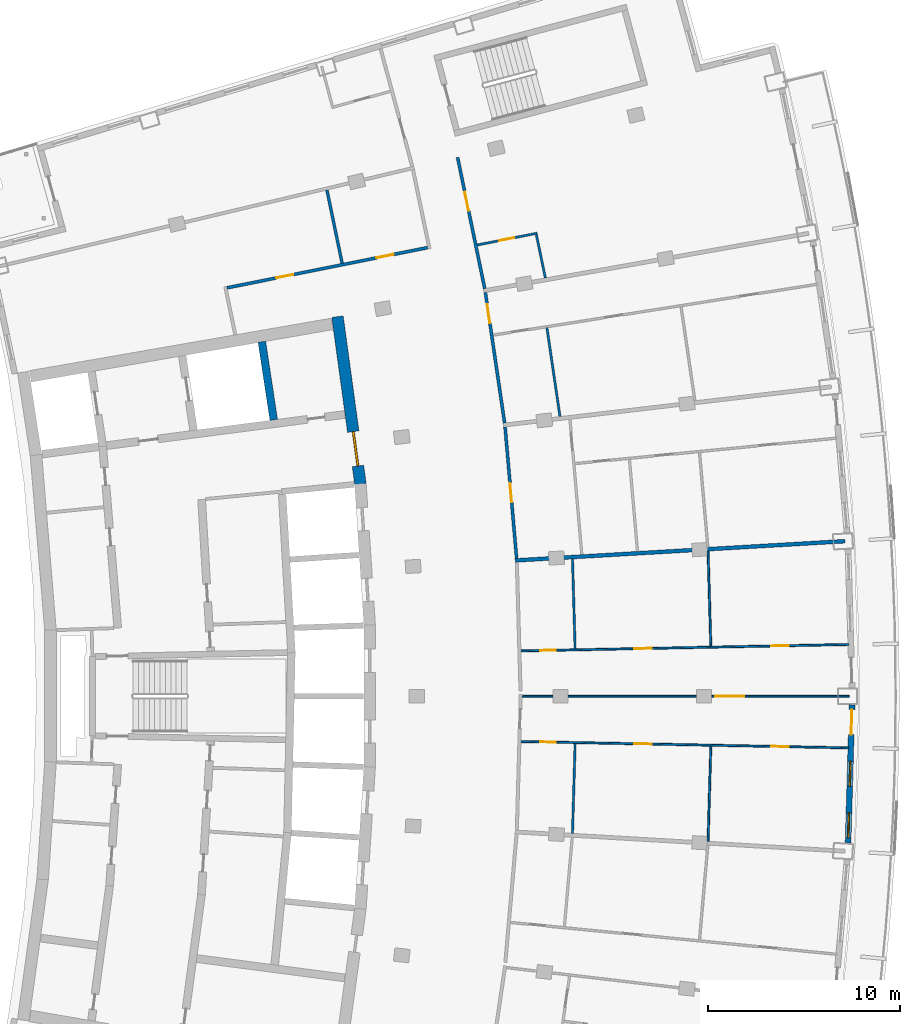
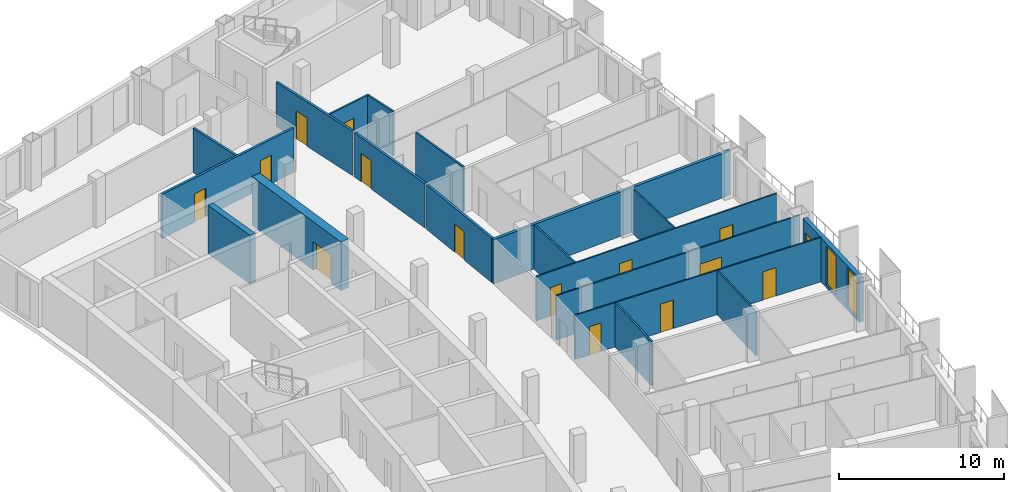
# One storey, part 13 of 19: 19 walls, 15 doors, 2 windows, 17 openings.
"""IFC4 building model written with IfcOpenShell, lengths in metres."""

from ifc_helpers import new_model, si_unit, direction, frame, frame_2d, origin, place, context, subcontext, project, spatial, rectangle, extrude, material, layer, layer_set, type_object, element, fill, save


model = new_model("IFC4")

# Units and contexts
model_context = context("Model", 3, precision=1e-05, world=origin(), true_north=direction((0.0, 1.0)))
body_context = subcontext(model_context, "Body", "Model", "MODEL_VIEW")
ifc_project = project(units=[si_unit("LENGTHUNIT", "METRE"), si_unit("AREAUNIT", "SQUARE_METRE"), si_unit("VOLUMEUNIT", "CUBIC_METRE"), si_unit("PLANEANGLEUNIT", "RADIAN"), si_unit("MASSUNIT", "GRAM", prefix="KILO")], contexts=[model_context])

# Site, building, storey
site_placement = place(None, origin())
site = spatial("IfcSite", under=ifc_project, at=site_placement, CompositionType="ELEMENT")
building_placement = place(site_placement, origin())
building = spatial("IfcBuilding", under=site, at=building_placement, Name="Alderwake Tower", CompositionType="ELEMENT")
storey_placement = place(building_placement, frame((0.0, 0.0, 203.60009765625)))
storey = spatial("IfcBuildingStorey", under=building, at=storey_placement, Name="L50", CompositionType="ELEMENT", Elevation=203.60009765625)

# Wall, opening, door
ifc_material_1 = material(Name="Concrete C70/85", Category="concrete")
ifc_layer_1 = layer(ifc_material_1, 0.60009765625)
ifc_layer_set_1 = layer_set([ifc_layer_1], Name="Core wall outer 600 C70-85")
wall_type_1 = type_object("IfcWallType", Name="Core wall outer 600 C70-85", PredefinedType="SHEAR", material=ifc_layer_set_1)
wall_1_placement = place(storey_placement, frame((31.66796875, 80.743896484375, 0.0), z_axis=(0.0, 0.0, 1.0), x_axis=(0.135856583698, -0.990728514108, 0.0)))
wall_1 = element("IfcWall", 1, at=wall_1_placement, inside=storey, type_object=wall_type_1, Name="Core wall CW.014", PredefinedType="SHEAR", context=body_context, shape_type="SweptSolid", body=[
    extrude(rectangle(XDim=8.79296875, YDim=0.60009765625, at=frame_2d((4.396484375, 0.0))), origin(), (0.0, 0.0, 1.0), 3.599853515625),
])
opening_1_placement = place(wall_1_placement, frame((6.038818359375, 0.0, 0.0)))
opening_1 = element("IfcOpeningElement", 2, at=opening_1_placement, cuts=wall_1, Name="Opening C001", PredefinedType="OPENING", context=body_context, shape_type="SweptSolid", body=[
    extrude(rectangle(XDim=1.800048828125, YDim=2.10009765625, at=frame_2d((0.89990234375, 1.050048828125))), frame((0.0, 0.31005859375, 0.0), z_axis=(0.0, -1.0, 0.0), x_axis=(1.0, 0.0, 0.0)), (0.0, 0.0, 1.0), 0.6201171875),
])
ifc_material_2 = material(Name="Steel-framed fire door leaves", Category="steel")
door_type_1 = type_object("IfcDoorType", Name="Core double door 1800 fire-rated", OperationType="DOUBLE_DOOR_SINGLE_SWING", PredefinedType="DOOR", material=ifc_material_2)
door_1_placement = place(opening_1_placement, origin())
door_1 = element("IfcDoor", 3, at=door_1_placement, inside=storey, type_object=door_type_1, Name="Lobby double door", OperationType="DOUBLE_DOOR_SINGLE_SWING", OverallHeight=2.10009765625, OverallWidth=1.800048828125, PredefinedType="DOOR", context=body_context, shape_type="SweptSolid", body=[
    extrude(rectangle(XDim=1.800048828125, YDim=2.10009765625, at=frame_2d((0.89990234375, 1.050048828125))), frame((0.0, 0.050048828125, 0.0), z_axis=(0.0, -1.0, 0.0), x_axis=(1.0, 0.0, 0.0)), (0.0, 0.0, 1.0), 0.10009765625),
])
fill(opening_1, door_1)

# Wall
ifc_material_3 = material(Name="Concrete C70/85", Category="concrete")
ifc_layer_2 = layer(ifc_material_3, 0.39990234375)
ifc_layer_set_2 = layer_set([ifc_layer_2], Name="Core wall spine 400 C70-85")
wall_type_2 = type_object("IfcWallType", Name="Core wall spine 400 C70-85", PredefinedType="SHEAR", material=ifc_layer_set_2)
wall_2_placement = place(storey_placement, frame((28.350830078125, 75.373291015625, 0.0), z_axis=(0.0, 0.0, 1.0), x_axis=(-0.150143035921, 0.988664285167, 0.0)))
element("IfcWall", 4, at=wall_2_placement, inside=storey, type_object=wall_type_2, Name="Core wall CW.001", PredefinedType="SHEAR", context=body_context, shape_type="SweptSolid", body=[
    extrude(rectangle(XDim=4.1123046875, YDim=0.39990234375, at=frame_2d((2.05615234375, 0.0))), origin(), (0.0, 0.0, 1.0), 3.599853515625),
])

# Wall, openings, doors
ifc_material_4 = material(Name="Gypsum board on metal studs, rated")
ifc_layer_3 = layer(ifc_material_4, 0.159912109375)
ifc_layer_set_3 = layer_set([ifc_layer_3], Name="Corridor wall 160")
wall_type_3 = type_object("IfcWallType", Name="Corridor wall 160", PredefinedType="PARTITIONING", material=ifc_layer_set_3)
wall_3_placement = place(storey_placement, frame((25.926513671875, 82.24267578125, 0.0), z_axis=(0.0, 0.0, 1.0), x_axis=(0.98046310274, 0.196703086316, 0.0)))
wall_3 = element("IfcWall", 5, at=wall_3_placement, inside=storey, type_object=wall_type_3, Name="WL/L50/W19", PredefinedType="PARTITIONING", context=body_context, shape_type="SweptSolid", body=[
    extrude(rectangle(XDim=10.637939453125, YDim=0.159912109375, at=frame_2d((5.31884765625, 0.0))), origin(), (0.0, 0.0, 1.0), 3.27978515625),
])
opening_2_placement = place(wall_3_placement, frame((2.609130859375, 0.0, 0.0)))
opening_2 = element("IfcOpeningElement", 6, at=opening_2_placement, cuts=wall_3, Name="Opening R14-SBN1", PredefinedType="OPENING", context=body_context, shape_type="SweptSolid", body=[
    extrude(rectangle(XDim=0.89990234375, YDim=2.10009765625, at=frame_2d((0.449951171875, 1.050048828125))), frame((0.0, 0.08984375, 0.0), z_axis=(0.0, -1.0, 0.0), x_axis=(1.0, 0.0, 0.0)), (0.0, 0.0, 1.0), 0.179931640625),
])
opening_3_placement = place(wall_3_placement, frame((7.927978515625, 0.0, 0.0)))
opening_3 = element("IfcOpeningElement", 7, at=opening_3_placement, cuts=wall_3, Name="Opening R14-SBN2", PredefinedType="OPENING", context=body_context, shape_type="SweptSolid", body=[
    extrude(rectangle(XDim=0.89990234375, YDim=2.10009765625, at=frame_2d((0.449951171875, 1.050048828125))), frame((0.0, 0.08984375, 0.0), z_axis=(0.0, -1.0, 0.0), x_axis=(1.0, 0.0, 0.0)), (0.0, 0.0, 1.0), 0.179931640625),
])
ifc_material_5 = material(Name="Painted timber leaf", Category="wood")
door_type_2 = type_object("IfcDoorType", Name="Room door 900", OperationType="SINGLE_SWING_LEFT", PredefinedType="DOOR", material=ifc_material_5)
door_2_placement = place(opening_2_placement, origin())
door_2 = element("IfcDoor", 8, at=door_2_placement, inside=storey, type_object=door_type_2, Name="DR/L50/SBN1", OperationType="SINGLE_SWING_LEFT", OverallHeight=2.10009765625, OverallWidth=0.89990234375, PredefinedType="DOOR", context=body_context, shape_type="SweptSolid", body=[
    extrude(rectangle(XDim=0.89990234375, YDim=2.10009765625, at=frame_2d((0.449951171875, 1.050048828125))), frame((0.0, 0.02490234375, 0.0), z_axis=(0.0, -1.0, 0.0), x_axis=(1.0, 0.0, 0.0)), (0.0, 0.0, 1.0), 0.050048828125),
])
fill(opening_2, door_2)
door_3_placement = place(opening_3_placement, origin())
door_3 = element("IfcDoor", 9, at=door_3_placement, inside=storey, type_object=door_type_2, Name="DR/L50/SBN2", OperationType="SINGLE_SWING_LEFT", OverallHeight=2.10009765625, OverallWidth=0.89990234375, PredefinedType="DOOR", context=body_context, shape_type="SweptSolid", body=[
    extrude(rectangle(XDim=0.89990234375, YDim=2.10009765625, at=frame_2d((0.449951171875, 1.050048828125))), frame((0.0, 0.02490234375, 0.0), z_axis=(0.0, -1.0, 0.0), x_axis=(1.0, 0.0, 0.0)), (0.0, 0.0, 1.0), 0.050048828125),
])
fill(opening_3, door_3)

# Wall, opening, door
wall_4_placement = place(storey_placement, frame((37.9169921875, 89.02490234375, 0.0), z_axis=(0.0, 0.0, 1.0), x_axis=(0.202416809878, -0.97929946139, 0.0)))
wall_4 = element("IfcWall", 10, at=wall_4_placement, inside=storey, type_object=wall_type_3, Name="WL/L50/W22", PredefinedType="PARTITIONING", context=body_context, shape_type="SweptSolid", body=[
    extrude(rectangle(XDim=6.97021484375, YDim=0.159912109375, at=frame_2d((3.485107421875, 0.0))), origin(), (0.0, 0.0, 1.0), 3.27978515625),
])
opening_4_placement = place(wall_4_placement, frame((1.83349609375, 0.0, 0.0)))
opening_4 = element("IfcOpeningElement", 11, at=opening_4_placement, cuts=wall_4, Name="Opening R14-U08.1", PredefinedType="OPENING", context=body_context, shape_type="SweptSolid", body=[
    extrude(rectangle(XDim=1.0, YDim=2.10009765625, at=frame_2d((0.5, 1.050048828125))), frame((0.0, 0.08984375, 0.0), z_axis=(0.0, -1.0, 0.0), x_axis=(1.0, 0.0, 0.0)), (0.0, 0.0, 1.0), 0.179931640625),
])
ifc_material_6 = material(Name="Solid timber leaf in steel frame", Category="steel")
door_type_3 = type_object("IfcDoorType", Name="Flat entrance door 1000 fire-rated", OperationType="SINGLE_SWING_LEFT", PredefinedType="DOOR", material=ifc_material_6)
door_4_placement = place(opening_4_placement, origin())
door_4 = element("IfcDoor", 12, at=door_4_placement, inside=storey, type_object=door_type_3, Name="DR/L50/U08.1", OperationType="SINGLE_SWING_LEFT", OverallHeight=2.10009765625, OverallWidth=1.0, PredefinedType="DOOR", context=body_context, shape_type="SweptSolid", body=[
    extrude(rectangle(XDim=1.0, YDim=2.10009765625, at=frame_2d((0.5, 1.050048828125))), frame((0.0, 0.02490234375, 0.0), z_axis=(0.0, -1.0, 0.0), x_axis=(1.0, 0.0, 0.0)), (0.0, 0.0, 1.0), 0.050048828125),
])
fill(opening_4, door_4)

wall_5_placement = place(storey_placement, frame((39.362548828125, 82.001953125, 0.0), z_axis=(0.0, 0.0, 1.0), x_axis=(0.145565626222, -0.98934859805, 0.0)))
wall_5 = element("IfcWall", 13, at=wall_5_placement, inside=storey, type_object=wall_type_3, Name="WL/L50/W23", PredefinedType="PARTITIONING", context=body_context, shape_type="SweptSolid", body=[
    extrude(rectangle(XDim=6.8681640625, YDim=0.159912109375, at=frame_2d((3.43408203125, 0.0))), origin(), (0.0, 0.0, 1.0), 3.27978515625),
])
opening_5_placement = place(wall_5_placement, frame((0.627685546875, 0.0, 0.0)))
opening_5 = element("IfcOpeningElement", 14, at=opening_5_placement, cuts=wall_5, Name="Opening R14-U07.2", PredefinedType="OPENING", context=body_context, shape_type="SweptSolid", body=[
    extrude(rectangle(XDim=1.0, YDim=2.10009765625, at=frame_2d((0.5, 1.050048828125))), frame((0.0, 0.08984375, 0.0), z_axis=(0.0, -1.0, 0.0), x_axis=(1.0, 0.0, 0.0)), (0.0, 0.0, 1.0), 0.179931640625),
])
door_5_placement = place(opening_5_placement, origin())
door_5 = element("IfcDoor", 15, at=door_5_placement, inside=storey, type_object=door_type_3, Name="DR/L50/U07.2", OperationType="SINGLE_SWING_LEFT", OverallHeight=2.10009765625, OverallWidth=1.0, PredefinedType="DOOR", context=body_context, shape_type="SweptSolid", body=[
    extrude(rectangle(XDim=1.0, YDim=2.10009765625, at=frame_2d((0.5, 1.050048828125))), frame((0.0, 0.02490234375, 0.0), z_axis=(0.0, -1.0, 0.0), x_axis=(1.0, 0.0, 0.0)), (0.0, 0.0, 1.0), 0.050048828125),
])
fill(opening_5, door_5)

wall_6_placement = place(storey_placement, frame((40.3857421875, 75.00830078125, 0.0), z_axis=(0.0, 0.0, 1.0), x_axis=(0.087448731147, -0.996169021512, 0.0)))
wall_6 = element("IfcWall", 16, at=wall_6_placement, inside=storey, type_object=wall_type_3, Name="WL/L50/W26", PredefinedType="PARTITIONING", context=body_context, shape_type="SweptSolid", body=[
    extrude(rectangle(XDim=6.867919921875, YDim=0.159912109375, at=frame_2d((3.43408203125, 0.0))), origin(), (0.0, 0.0, 1.0), 3.27978515625),
])
opening_6_placement = place(wall_6_placement, frame((2.93408203125, 0.0, 0.0)))
opening_6 = element("IfcOpeningElement", 17, at=opening_6_placement, cuts=wall_6, Name="Opening R14-U06.2", PredefinedType="OPENING", context=body_context, shape_type="SweptSolid", body=[
    extrude(rectangle(XDim=1.0, YDim=2.10009765625, at=frame_2d((0.5, 1.050048828125))), frame((0.0, 0.08984375, 0.0), z_axis=(0.0, -1.0, 0.0), x_axis=(1.0, 0.0, 0.0)), (0.0, 0.0, 1.0), 0.179931640625),
])
door_6_placement = place(opening_6_placement, origin())
door_6 = element("IfcDoor", 18, at=door_6_placement, inside=storey, type_object=door_type_3, Name="DR/L50/U06.2", OperationType="SINGLE_SWING_LEFT", OverallHeight=2.10009765625, OverallWidth=1.0, PredefinedType="DOOR", context=body_context, shape_type="SweptSolid", body=[
    extrude(rectangle(XDim=1.0, YDim=2.10009765625, at=frame_2d((0.5, 1.050048828125))), frame((0.0, 0.02490234375, 0.0), z_axis=(0.0, -1.0, 0.0), x_axis=(1.0, 0.0, 0.0)), (0.0, 0.0, 1.0), 0.050048828125),
])
fill(opening_6, door_6)

# Wall, openings, door, windows
ifc_material_7 = material(Name="Precast concrete C50/60 spandrel panel", Category="concrete")
ifc_layer_4 = layer(ifc_material_7, 0.300048828125)
ifc_layer_set_4 = layer_set([ifc_layer_4], Name="External wall EW1 Precast concrete C50/60 spandrel")
wall_type_4 = type_object("IfcWallType", Name="External wall EW1 Precast concrete C50/60 spandrel", PredefinedType="SOLIDWALL", material=ifc_layer_set_4)
wall_7_placement = place(storey_placement, frame((58.2275390625, 53.37548828125, 0.0), z_axis=(0.0, 0.0, 1.0), x_axis=(0.029173236612, 0.999574370553, 0.0)))
wall_7 = element("IfcWall", 19, at=wall_7_placement, inside=storey, type_object=wall_type_4, Name="External wall 15", PredefinedType="SOLIDWALL", context=body_context, shape_type="SweptSolid", body=[
    extrude(rectangle(XDim=7.180419921875, YDim=0.300048828125, at=frame_2d((3.59033203125, 0.0))), origin(), (0.0, 0.0, 1.0), 3.27978515625),
])
opening_7_placement = place(wall_7_placement, frame((0.25341796875, 0.0, 0.199951171875)))
opening_7 = element("IfcOpeningElement", 20, at=opening_7_placement, cuts=wall_7, Name="Opening W1", PredefinedType="OPENING", context=body_context, shape_type="SweptSolid", body=[
    extrude(rectangle(XDim=1.300048828125, YDim=2.89990234375, at=frame_2d((0.64990234375, 1.449951171875))), frame((0.0, 0.159912109375, 0.0), z_axis=(0.0, -1.0, 0.0), x_axis=(1.0, 0.0, 0.0)), (0.0, 0.0, 1.0), 0.320068359375),
])
opening_8_placement = place(wall_7_placement, frame((2.940185546875, 0.0, 0.199951171875)))
opening_8 = element("IfcOpeningElement", 21, at=opening_8_placement, cuts=wall_7, Name="Opening W1", PredefinedType="OPENING", context=body_context, shape_type="SweptSolid", body=[
    extrude(rectangle(XDim=1.300048828125, YDim=2.89990234375, at=frame_2d((0.64990234375, 1.449951171875))), frame((0.0, 0.159912109375, 0.0), z_axis=(0.0, -1.0, 0.0), x_axis=(1.0, 0.0, 0.0)), (0.0, 0.0, 1.0), 0.320068359375),
])
opening_9_placement = place(wall_7_placement, frame((5.626953125, 0.0, 0.0)))
opening_9 = element("IfcOpeningElement", 22, at=opening_9_placement, cuts=wall_7, Name="Opening D05", PredefinedType="OPENING", context=body_context, shape_type="SweptSolid", body=[
    extrude(rectangle(XDim=1.300048828125, YDim=2.39990234375, at=frame_2d((0.64990234375, 1.199951171875))), frame((0.0, 0.159912109375, 0.0), z_axis=(0.0, -1.0, 0.0), x_axis=(1.0, 0.0, 0.0)), (0.0, 0.0, 1.0), 0.320068359375),
])
ifc_material_8 = material(Name="Bronze tinted glass in aluminium frame", Category="aluminium")
door_type_4 = type_object("IfcDoorType", Name="Balcony door BD sliding", OperationType="SLIDING_TO_LEFT", PredefinedType="DOOR", material=ifc_material_8)
door_7_placement = place(opening_9_placement, origin())
door_7 = element("IfcDoor", 23, at=door_7_placement, inside=storey, type_object=door_type_4, Name="Door D05", OperationType="SLIDING_TO_LEFT", OverallHeight=2.39990234375, OverallWidth=1.300048828125, PredefinedType="DOOR", context=body_context, shape_type="SweptSolid", body=[
    extrude(rectangle(XDim=1.300048828125, YDim=2.39990234375, at=frame_2d((0.64990234375, 1.199951171875))), frame((0.0, 0.02490234375, 0.0), z_axis=(0.0, -1.0, 0.0), x_axis=(1.0, 0.0, 0.0)), (0.0, 0.0, 1.0), 0.050048828125),
])
fill(opening_9, door_7)
ifc_material_9 = material(Name="Bronze tinted glass in aluminium frame", Category="aluminium")
window_type = type_object("IfcWindowType", Name="Window W1 tall fixed and vent", PartitioningType="DOUBLE_PANEL_VERTICAL", PredefinedType="WINDOW", material=ifc_material_9)
window_1_placement = place(opening_7_placement, origin())
window_1 = element("IfcWindow", 24, at=window_1_placement, inside=storey, type_object=window_type, Name="Window W1 tall fixed and vent", OverallHeight=2.89990234375, OverallWidth=1.300048828125, PartitioningType="DOUBLE_PANEL_VERTICAL", PredefinedType="WINDOW", context=body_context, shape_type="SweptSolid", body=[
    extrude(rectangle(XDim=1.300048828125, YDim=2.89990234375, at=frame_2d((0.64990234375, 1.449951171875))), frame((0.0, 0.030029296875, 0.0), z_axis=(0.0, -1.0, 0.0), x_axis=(1.0, 0.0, 0.0)), (0.0, 0.0, 1.0), 0.06005859375),
])
fill(opening_7, window_1)
window_2_placement = place(opening_8_placement, origin())
window_2 = element("IfcWindow", 25, at=window_2_placement, inside=storey, type_object=window_type, Name="Window W1 tall fixed and vent", OverallHeight=2.89990234375, OverallWidth=1.300048828125, PartitioningType="DOUBLE_PANEL_VERTICAL", PredefinedType="WINDOW", context=body_context, shape_type="SweptSolid", body=[
    extrude(rectangle(XDim=1.300048828125, YDim=2.89990234375, at=frame_2d((0.64990234375, 1.449951171875))), frame((0.0, 0.030029296875, 0.0), z_axis=(0.0, -1.0, 0.0), x_axis=(1.0, 0.0, 0.0)), (0.0, 0.0, 1.0), 0.06005859375),
])
fill(opening_8, window_2)

# Walls
ifc_material_10 = material(Name="Dense block masonry wall", Category="masonry")
ifc_layer_5 = layer(ifc_material_10, 0.199951171875)
ifc_layer_set_5 = layer_set([ifc_layer_5], Name="Party wall 200")
wall_type_5 = type_object("IfcWallType", Name="Party wall 200", PredefinedType="SOLIDWALL", material=ifc_layer_set_5)
wall_8_placement = place(storey_placement, frame((58.06494140625, 69.06298828125, 0.0), z_axis=(0.0, 0.0, 1.0), x_axis=(-0.998301852926, -0.058252986578, 0.0)))
element("IfcWall", 26, at=wall_8_placement, inside=storey, type_object=wall_type_5, Name="WL/L50/W05", PredefinedType="SOLIDWALL", context=body_context, shape_type="SweptSolid", body=[
    extrude(rectangle(XDim=17.178955078125, YDim=0.199951171875, at=frame_2d((8.58935546875, 0.0))), origin(), (0.0, 0.0, 1.0), 3.27978515625),
])
ifc_material_11 = material(Name="Gypsum shaft wall system, rated")
ifc_layer_6 = layer(ifc_material_11, 0.14990234375)
ifc_layer_set_6 = layer_set([ifc_layer_6], Name="Riser and shaft wall 150")
wall_type_6 = type_object("IfcWallType", Name="Riser and shaft wall 150", PredefinedType="PARTITIONING", material=ifc_layer_set_6)
wall_9_placement = place(storey_placement, frame((31.90966796875, 83.523193359375, 0.0), z_axis=(0.0, 0.0, 1.0), x_axis=(-0.203193719272, 0.979138556308, 0.0)))
element("IfcWall", 27, at=wall_9_placement, inside=storey, type_object=wall_type_6, Name="WL/L50/W06", PredefinedType="PARTITIONING", context=body_context, shape_type="SweptSolid", body=[
    extrude(rectangle(XDim=3.884521484375, YDim=0.14990234375, at=frame_2d((1.9423828125, 0.0))), origin(), (0.0, 0.0, 1.0), 3.27978515625),
])

# Wall, openings, doors
ifc_material_12 = material(Name="Gypsum board on metal studs")
ifc_layer_7 = layer(ifc_material_12, 0.10009765625)
ifc_layer_set_7 = layer_set([ifc_layer_7], Name="Unit partition 100")
wall_type_7 = type_object("IfcWallType", Name="Unit partition 100", PredefinedType="PARTITIONING", material=ifc_layer_set_7)
wall_10_placement = place(storey_placement, frame((58.27197265625, 58.31103515625, 0.0), z_axis=(0.0, 0.0, 1.0), x_axis=(-0.999811536807, 0.019413677352, 0.0)))
wall_10 = element("IfcWall", 28, at=wall_10_placement, inside=storey, type_object=wall_type_7, Name="WL/L50/W47", PredefinedType="PARTITIONING", context=body_context, shape_type="SweptSolid", body=[
    extrude(rectangle(XDim=17.065185546875, YDim=0.10009765625, at=frame_2d((8.53271484375, 0.0))), origin(), (0.0, 0.0, 1.0), 3.27978515625),
])
opening_10_placement = place(wall_10_placement, frame((10.263671875, 0.0, 0.0)))
opening_10 = element("IfcOpeningElement", 29, at=opening_10_placement, cuts=wall_10, Name="Opening R14-U05.1", PredefinedType="OPENING", context=body_context, shape_type="SweptSolid", body=[
    extrude(rectangle(XDim=0.89990234375, YDim=2.10009765625, at=frame_2d((0.449951171875, 1.050048828125))), frame((0.0, 0.06005859375, 0.0), z_axis=(0.0, -1.0, 0.0), x_axis=(1.0, 0.0, 0.0)), (0.0, 0.0, 1.0), 0.1201171875),
])
opening_11_placement = place(wall_10_placement, frame((15.255126953125, 0.0, 0.0)))
opening_11 = element("IfcOpeningElement", 30, at=opening_11_placement, cuts=wall_10, Name="Opening R14-U05.3", PredefinedType="OPENING", context=body_context, shape_type="SweptSolid", body=[
    extrude(rectangle(XDim=0.800048828125, YDim=2.10009765625, at=frame_2d((0.39990234375, 1.050048828125))), frame((0.0, 0.06005859375, 0.0), z_axis=(0.0, -1.0, 0.0), x_axis=(1.0, 0.0, 0.0)), (0.0, 0.0, 1.0), 0.1201171875),
])
opening_12_placement = place(wall_10_placement, frame((3.141845703125, 0.0, 0.0)))
opening_12 = element("IfcOpeningElement", 31, at=opening_12_placement, cuts=wall_10, Name="Opening R14-U05.4", PredefinedType="OPENING", context=body_context, shape_type="SweptSolid", body=[
    extrude(rectangle(XDim=0.89990234375, YDim=2.10009765625, at=frame_2d((0.449951171875, 1.050048828125))), frame((0.0, 0.06005859375, 0.0), z_axis=(0.0, -1.0, 0.0), x_axis=(1.0, 0.0, 0.0)), (0.0, 0.0, 1.0), 0.1201171875),
])
ifc_material_13 = material(Name="Painted timber leaf", Category="wood")
door_type_5 = type_object("IfcDoorType", Name="Bathroom door 800", OperationType="SINGLE_SWING_LEFT", PredefinedType="DOOR", material=ifc_material_13)
door_8_placement = place(opening_11_placement, origin())
door_8 = element("IfcDoor", 32, at=door_8_placement, inside=storey, type_object=door_type_5, Name="DR/L50/U05.3", OperationType="SINGLE_SWING_LEFT", OverallHeight=2.10009765625, OverallWidth=0.800048828125, PredefinedType="DOOR", context=body_context, shape_type="SweptSolid", body=[
    extrude(rectangle(XDim=0.800048828125, YDim=2.10009765625, at=frame_2d((0.39990234375, 1.050048828125))), frame((0.0, 0.02490234375, 0.0), z_axis=(0.0, -1.0, 0.0), x_axis=(1.0, 0.0, 0.0)), (0.0, 0.0, 1.0), 0.050048828125),
])
fill(opening_11, door_8)
door_9_placement = place(opening_10_placement, origin())
door_9 = element("IfcDoor", 33, at=door_9_placement, inside=storey, type_object=door_type_2, Name="DR/L50/U05.1", OperationType="SINGLE_SWING_LEFT", OverallHeight=2.10009765625, OverallWidth=0.89990234375, PredefinedType="DOOR", context=body_context, shape_type="SweptSolid", body=[
    extrude(rectangle(XDim=0.89990234375, YDim=2.10009765625, at=frame_2d((0.449951171875, 1.050048828125))), frame((0.0, 0.02490234375, 0.0), z_axis=(0.0, -1.0, 0.0), x_axis=(1.0, 0.0, 0.0)), (0.0, 0.0, 1.0), 0.050048828125),
])
fill(opening_10, door_9)
door_10_placement = place(opening_12_placement, origin())
door_10 = element("IfcDoor", 34, at=door_10_placement, inside=storey, type_object=door_type_2, Name="DR/L50/U05.4", OperationType="SINGLE_SWING_LEFT", OverallHeight=2.10009765625, OverallWidth=0.89990234375, PredefinedType="DOOR", context=body_context, shape_type="SweptSolid", body=[
    extrude(rectangle(XDim=0.89990234375, YDim=2.10009765625, at=frame_2d((0.449951171875, 1.050048828125))), frame((0.0, 0.02490234375, 0.0), z_axis=(0.0, -1.0, 0.0), x_axis=(1.0, 0.0, 0.0)), (0.0, 0.0, 1.0), 0.050048828125),
])
fill(opening_12, door_10)

wall_11_placement = place(storey_placement, frame((41.2099609375, 63.355712890625, 0.0), z_axis=(0.0, 0.0, 1.0), x_axis=(0.999808189858, 0.019585287639, 0.0)))
wall_11 = element("IfcWall", 35, at=wall_11_placement, inside=storey, type_object=wall_type_7, Name="WL/L50/W48", PredefinedType="PARTITIONING", context=body_context, shape_type="SweptSolid", body=[
    extrude(rectangle(XDim=17.065185546875, YDim=0.10009765625, at=frame_2d((8.53271484375, 0.0))), origin(), (0.0, 0.0, 1.0), 3.27978515625),
])
opening_13_placement = place(wall_11_placement, frame((5.901611328125, 0.0, 0.0)))
opening_13 = element("IfcOpeningElement", 36, at=opening_13_placement, cuts=wall_11, Name="Opening R14-U05.5", PredefinedType="OPENING", context=body_context, shape_type="SweptSolid", body=[
    extrude(rectangle(XDim=0.89990234375, YDim=2.10009765625, at=frame_2d((0.449951171875, 1.050048828125))), frame((0.0, 0.06005859375, 0.0), z_axis=(0.0, -1.0, 0.0), x_axis=(1.0, 0.0, 0.0)), (0.0, 0.0, 1.0), 0.1201171875),
])
opening_14_placement = place(wall_11_placement, frame((1.010009765625, 0.0, 0.0)))
opening_14 = element("IfcOpeningElement", 37, at=opening_14_placement, cuts=wall_11, Name="Opening R14-U05.6", PredefinedType="OPENING", context=body_context, shape_type="SweptSolid", body=[
    extrude(rectangle(XDim=0.800048828125, YDim=2.10009765625, at=frame_2d((0.39990234375, 1.050048828125))), frame((0.0, 0.06005859375, 0.0), z_axis=(0.0, -1.0, 0.0), x_axis=(1.0, 0.0, 0.0)), (0.0, 0.0, 1.0), 0.1201171875),
])
opening_15_placement = place(wall_11_placement, frame((13.0234375, 0.0, 0.0)))
opening_15 = element("IfcOpeningElement", 38, at=opening_15_placement, cuts=wall_11, Name="Opening R14-U05.7", PredefinedType="OPENING", context=body_context, shape_type="SweptSolid", body=[
    extrude(rectangle(XDim=0.89990234375, YDim=2.10009765625, at=frame_2d((0.449951171875, 1.050048828125))), frame((0.0, 0.06005859375, 0.0), z_axis=(0.0, -1.0, 0.0), x_axis=(1.0, 0.0, 0.0)), (0.0, 0.0, 1.0), 0.1201171875),
])
door_11_placement = place(opening_14_placement, origin())
door_11 = element("IfcDoor", 39, at=door_11_placement, inside=storey, type_object=door_type_5, Name="DR/L50/U05.6", OperationType="SINGLE_SWING_LEFT", OverallHeight=2.10009765625, OverallWidth=0.800048828125, PredefinedType="DOOR", context=body_context, shape_type="SweptSolid", body=[
    extrude(rectangle(XDim=0.800048828125, YDim=2.10009765625, at=frame_2d((0.39990234375, 1.050048828125))), frame((0.0, 0.02490234375, 0.0), z_axis=(0.0, -1.0, 0.0), x_axis=(1.0, 0.0, 0.0)), (0.0, 0.0, 1.0), 0.050048828125),
])
fill(opening_14, door_11)
door_12_placement = place(opening_13_placement, origin())
door_12 = element("IfcDoor", 40, at=door_12_placement, inside=storey, type_object=door_type_2, Name="DR/L50/U05.5", OperationType="SINGLE_SWING_LEFT", OverallHeight=2.10009765625, OverallWidth=0.89990234375, PredefinedType="DOOR", context=body_context, shape_type="SweptSolid", body=[
    extrude(rectangle(XDim=0.89990234375, YDim=2.10009765625, at=frame_2d((0.449951171875, 1.050048828125))), frame((0.0, 0.02490234375, 0.0), z_axis=(0.0, -1.0, 0.0), x_axis=(1.0, 0.0, 0.0)), (0.0, 0.0, 1.0), 0.050048828125),
])
fill(opening_13, door_12)
door_13_placement = place(opening_15_placement, origin())
door_13 = element("IfcDoor", 41, at=door_13_placement, inside=storey, type_object=door_type_2, Name="DR/L50/U05.7", OperationType="SINGLE_SWING_LEFT", OverallHeight=2.10009765625, OverallWidth=0.89990234375, PredefinedType="DOOR", context=body_context, shape_type="SweptSolid", body=[
    extrude(rectangle(XDim=0.89990234375, YDim=2.10009765625, at=frame_2d((0.449951171875, 1.050048828125))), frame((0.0, 0.02490234375, 0.0), z_axis=(0.0, -1.0, 0.0), x_axis=(1.0, 0.0, 0.0)), (0.0, 0.0, 1.0), 0.050048828125),
])
fill(opening_15, door_13)

# Walls
wall_12_placement = place(storey_placement, frame((50.94580078125, 53.451904296875, 0.0), z_axis=(0.0, 0.0, 1.0), x_axis=(0.028839843482, 0.999584045205, 0.0)))
element("IfcWall", 42, at=wall_12_placement, inside=storey, type_object=wall_type_7, Name="WL/L50/W55", PredefinedType="PARTITIONING", context=body_context, shape_type="SweptSolid", body=[
    extrude(rectangle(XDim=4.9521484375, YDim=0.10009765625, at=frame_2d((2.47607421875, 0.0))), origin(), (0.0, 0.0, 1.0), 3.27978515625),
])
wall_13_placement = place(storey_placement, frame((51.088623046875, 63.59912109375, 0.0), z_axis=(0.0, 0.0, 1.0), x_axis=(-0.02885975374, 0.999583470559, 0.0)))
element("IfcWall", 43, at=wall_13_placement, inside=storey, type_object=wall_type_7, Name="WL/L50/W57", PredefinedType="PARTITIONING", context=body_context, shape_type="SweptSolid", body=[
    extrude(rectangle(XDim=4.94873046875, YDim=0.10009765625, at=frame_2d((2.474365234375, 0.0))), origin(), (0.0, 0.0, 1.0), 3.27978515625),
])

# Wall, opening, door
wall_14_placement = place(storey_placement, frame((41.279052734375, 60.9990234375, 0.0), z_axis=(0.0, 0.0, 1.0), x_axis=(1.0, 0.0, 0.0)))
wall_14 = element("IfcWall", 44, at=wall_14_placement, inside=storey, type_object=wall_type_7, Name="WL/L50/W58", PredefinedType="PARTITIONING", context=body_context, shape_type="SweptSolid", body=[
    extrude(rectangle(XDim=17.02001953125, YDim=0.10009765625, at=frame_2d((8.510009765625, 0.0))), origin(), (0.0, 0.0, 1.0), 3.27978515625),
])
opening_16_placement = place(wall_14_placement, frame((10.052001953125, 0.0, 0.0)))
opening_16 = element("IfcOpeningElement", 45, at=opening_16_placement, cuts=wall_14, Name="Opening R14-U05.8", PredefinedType="OPENING", context=body_context, shape_type="SweptSolid", body=[
    extrude(rectangle(XDim=1.5, YDim=2.10009765625, at=frame_2d((0.75, 1.050048828125))), frame((0.0, 0.06005859375, 0.0), z_axis=(0.0, -1.0, 0.0), x_axis=(1.0, 0.0, 0.0)), (0.0, 0.0, 1.0), 0.1201171875),
])
ifc_material_14 = material(Name="Painted timber leaves", Category="wood")
door_type_6 = type_object("IfcDoorType", Name="Double leaf door 1500", OperationType="DOUBLE_DOOR_SINGLE_SWING", PredefinedType="DOOR", material=ifc_material_14)
door_14_placement = place(opening_16_placement, origin())
door_14 = element("IfcDoor", 46, at=door_14_placement, inside=storey, type_object=door_type_6, Name="DR/L50/U05.8", OperationType="DOUBLE_DOOR_SINGLE_SWING", OverallHeight=2.10009765625, OverallWidth=1.5, PredefinedType="DOOR", context=body_context, shape_type="SweptSolid", body=[
    extrude(rectangle(XDim=1.5, YDim=2.10009765625, at=frame_2d((0.75, 1.050048828125))), frame((0.0, 0.02490234375, 0.0), z_axis=(0.0, -1.0, 0.0), x_axis=(1.0, 0.0, 0.0)), (0.0, 0.0, 1.0), 0.050048828125),
])
fill(opening_16, door_14)

ifc_material_15 = material(Name="Moisture resistant gypsum board on metal studs")
ifc_layer_8 = layer(ifc_material_15, 0.1201171875)
ifc_layer_set_8 = layer_set([ifc_layer_8], Name="Wet room partition 120")
wall_type_8 = type_object("IfcWallType", Name="Wet room partition 120", PredefinedType="PARTITIONING", material=ifc_layer_set_8)
wall_15_placement = place(storey_placement, frame((42.058837890625, 85.085693359375, 0.0), z_axis=(0.0, 0.0, 1.0), x_axis=(-0.981146728245, -0.193264320697, 0.0)))
wall_15 = element("IfcWall", 47, at=wall_15_placement, inside=storey, type_object=wall_type_8, Name="WL/L50/W33", PredefinedType="PARTITIONING", context=body_context, shape_type="SweptSolid", body=[
    extrude(rectangle(XDim=3.17822265625, YDim=0.1201171875, at=frame_2d((1.589111328125, 0.0))), origin(), (0.0, 0.0, 1.0), 3.27978515625),
])
opening_17_placement = place(wall_15_placement, frame((1.21923828125, 0.0, 0.0)))
opening_17 = element("IfcOpeningElement", 48, at=opening_17_placement, cuts=wall_15, Name="Opening R14-U08.2", PredefinedType="OPENING", context=body_context, shape_type="SweptSolid", body=[
    extrude(rectangle(XDim=0.800048828125, YDim=2.10009765625, at=frame_2d((0.39990234375, 1.050048828125))), frame((0.0, 0.070068359375, 0.0), z_axis=(0.0, -1.0, 0.0), x_axis=(1.0, 0.0, 0.0)), (0.0, 0.0, 1.0), 0.14013671875),
])
door_15_placement = place(opening_17_placement, origin())
door_15 = element("IfcDoor", 49, at=door_15_placement, inside=storey, type_object=door_type_5, Name="DR/L50/U08.2", OperationType="SINGLE_SWING_LEFT", OverallHeight=2.10009765625, OverallWidth=0.800048828125, PredefinedType="DOOR", context=body_context, shape_type="SweptSolid", body=[
    extrude(rectangle(XDim=0.800048828125, YDim=2.10009765625, at=frame_2d((0.39990234375, 1.050048828125))), frame((0.0, 0.02490234375, 0.0), z_axis=(0.0, -1.0, 0.0), x_axis=(1.0, 0.0, 0.0)), (0.0, 0.0, 1.0), 0.050048828125),
])
fill(opening_17, door_15)

# Walls
wall_16_placement = place(storey_placement, frame((42.480712890625, 82.757080078125, 0.0), z_axis=(0.0, 0.0, 1.0), x_axis=(-0.203155177508, 0.979146553817, 0.0)))
element("IfcWall", 50, at=wall_16_placement, inside=storey, type_object=wall_type_8, Name="WL/L50/W34", PredefinedType="PARTITIONING", context=body_context, shape_type="SweptSolid", body=[
    extrude(rectangle(XDim=2.30615234375, YDim=0.1201171875, at=frame_2d((1.153076171875, 0.0))), origin(), (0.0, 0.0, 1.0), 3.27978515625),
])
wall_17_placement = place(storey_placement, frame((43.242431640625, 75.5458984375, 0.0), z_axis=(0.0, 0.0, 1.0), x_axis=(-0.145515042, 0.989356039326, 0.0)))
element("IfcWall", 51, at=wall_17_placement, inside=storey, type_object=wall_type_8, Name="WL/L50/W36", PredefinedType="PARTITIONING", context=body_context, shape_type="SweptSolid", body=[
    extrude(rectangle(XDim=4.67431640625, YDim=0.1201171875, at=frame_2d((2.337158203125, 0.0))), origin(), (0.0, 0.0, 1.0), 3.27978515625),
])
wall_18_placement = place(storey_placement, frame((43.892822265625, 53.865966796875, 0.0), z_axis=(0.0, 0.0, 1.0), x_axis=(0.029256273894, 0.999571943603, 0.0)))
element("IfcWall", 52, at=wall_18_placement, inside=storey, type_object=wall_type_8, Name="WL/L50/W39", PredefinedType="PARTITIONING", context=body_context, shape_type="SweptSolid", body=[
    extrude(rectangle(XDim=4.673095703125, YDim=0.1201171875, at=frame_2d((2.33642578125, 0.0))), origin(), (0.0, 0.0, 1.0), 3.27978515625),
])
wall_19_placement = place(storey_placement, frame((44.029541015625, 63.4609375, 0.0), z_axis=(0.0, 0.0, 1.0), x_axis=(-0.029237951874, 0.999572479698, 0.0)))
element("IfcWall", 53, at=wall_19_placement, inside=storey, type_object=wall_type_8, Name="WL/L50/W40", PredefinedType="PARTITIONING", context=body_context, shape_type="SweptSolid", body=[
    extrude(rectangle(XDim=4.676025390625, YDim=0.1201171875, at=frame_2d((2.337890625, 0.0))), origin(), (0.0, 0.0, 1.0), 3.27978515625),
])

save(model, "model.ifc")
